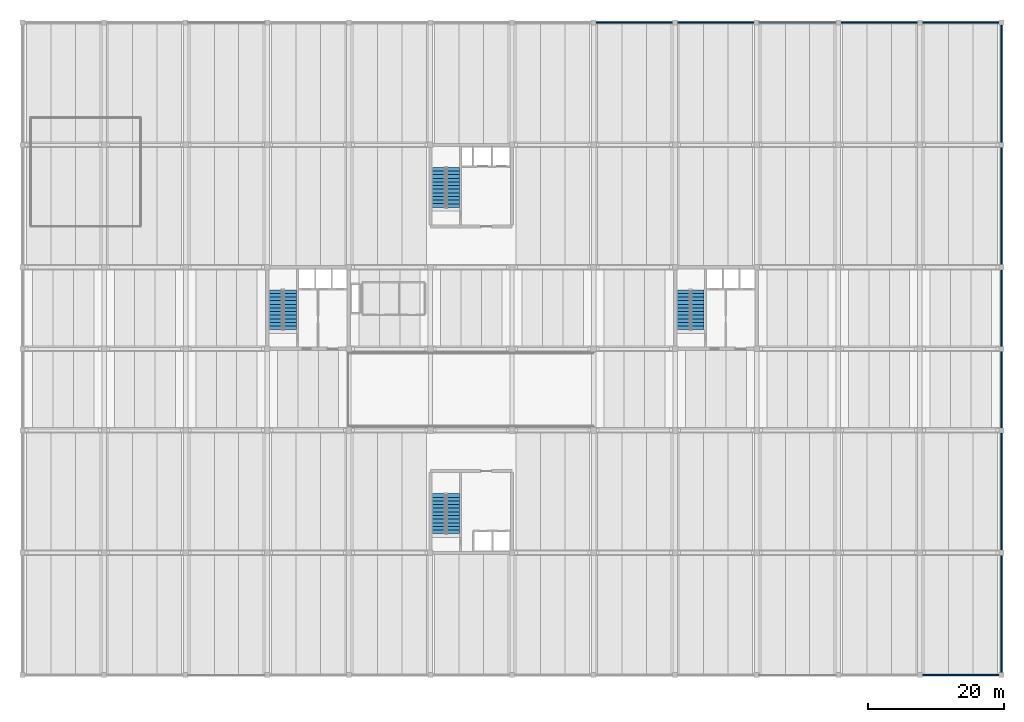
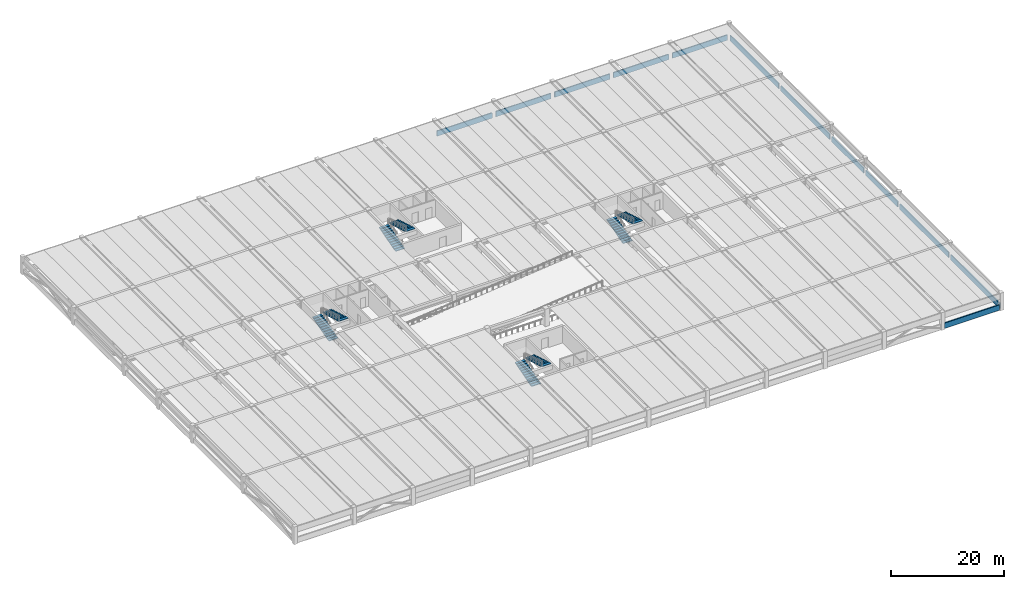
# One storey, part 10 of 14: 12 walls, 8 stair flights, 4 elements without a shape of their own.
"""IFC4 building model written with IfcOpenShell, lengths in metres."""

from ifc_helpers import new_model, si_unit, direction, frame, frame_2d, origin, place, context, subcontext, project, spatial, polyline, rectangle, outline, extrude, material, layer, layer_set, type_object, element, aggregate, save


model = new_model("IFC4")

# Units and contexts
model_context = context("Model", 3, precision=1e-05, world=origin(), true_north=direction((0.0, 1.0)))
body_context = subcontext(model_context, "Body", "Model", "MODEL_VIEW")
ifc_project = project(units=[si_unit("LENGTHUNIT", "METRE"), si_unit("AREAUNIT", "SQUARE_METRE"), si_unit("VOLUMEUNIT", "CUBIC_METRE"), si_unit("PLANEANGLEUNIT", "RADIAN"), si_unit("MASSUNIT", "GRAM", prefix="KILO")], contexts=[model_context])

# Site, building, storey
site_placement = place(None, origin())
site = spatial("IfcSite", under=ifc_project, at=site_placement, CompositionType="ELEMENT")
building_placement = place(site_placement, origin())
building = spatial("IfcBuilding", under=site, at=building_placement, Name="Girod Span Mobility Hub", CompositionType="ELEMENT")
storey_placement = place(building_placement, frame((0.0, 0.0, 24.800048828125)))
storey = spatial("IfcBuildingStorey", under=building, at=storey_placement, Name="L06", CompositionType="ELEMENT", Elevation=24.800048828125)

# Walls
ifc_material_1 = material(Name="Precast Architectural Concrete C40/50", Category="concrete")
ifc_layer = layer(ifc_material_1, 0.215087890625)
ifc_layer_set = layer_set([ifc_layer], Name="Precast Architectural Concrete C40/50")
wall_type = type_object("IfcWallType", Name="W-PAR-215", PredefinedType="PARAPET", material=ifc_layer_set)
for number, where, z_axis, x_axis, name in (
    (1, (144.373046875, 9.0, 0.0), (0.0, 0.0, 1.0), (1.0, 0.0, 0.0), "Precast Parking Barrier Parapet S-13 L06"),
    (2, (96.373046875, 105.0, 0.0), (0.0, 0.0, 1.0), (1.0, 0.0, 0.0), "Precast Parking Barrier Parapet N-9 L06"),
    (3, (108.373046875, 105.0, 0.0), (0.0, 0.0, 1.0), (1.0, 0.0, 0.0), "Precast Parking Barrier Parapet N-10 L06"),
    (4, (120.373046875, 105.0, 0.0), (0.0, 0.0, 1.0), (1.0, 0.0, 0.0), "Precast Parking Barrier Parapet N-11 L06"),
    (5, (132.373046875, 105.0, 0.0), (0.0, 0.0, 1.0), (1.0, 0.0, 0.0), "Precast Parking Barrier Parapet N-12 L06"),
    (6, (144.373046875, 105.0, 0.0), (0.0, 0.0, 1.0), (1.0, 0.0, 0.0), "Precast Parking Barrier Parapet N-13 L06"),
):
    element("IfcWall", number, at=place(storey_placement, frame(where, z_axis=z_axis, x_axis=x_axis)), inside=storey, type_object=wall_type, Name=name, PredefinedType="PARAPET", context=body_context, shape_type="SweptSolid", body=[
        extrude(rectangle(XDim=11.25390625, YDim=0.215087890625, at=frame_2d((5.626953125, 0.0))), origin(), (0.0, 0.0, 1.0), 1.14990234375),
    ])
for number, where, z_axis, x_axis, name in (
    (7, (156.0, 9.373046875, 0.0), (0.0, 0.0, 1.0), (0.0, 1.0, 0.0), "Precast Side Barrier Parapet E-B-1 L06"),
    (8, (156.0, 27.373046875, 0.0), (0.0, 0.0, 1.0), (0.0, 1.0, 0.0), "Precast Side Barrier Parapet E-C-1 L06"),
):
    element("IfcWall", number, at=place(storey_placement, frame(where, z_axis=z_axis, x_axis=x_axis)), inside=storey, type_object=wall_type, Name=name, PredefinedType="PARAPET", context=body_context, shape_type="SweptSolid", body=[
        extrude(rectangle(XDim=17.25390625, YDim=0.215087890625, at=frame_2d((8.626953125, 0.0))), origin(), (0.0, 0.0, 1.0), 1.14990234375),
    ])
for number, where, z_axis, x_axis, name in (
    (9, (156.0, 45.373046875, 0.0), (0.0, 0.0, 1.0), (0.0, 1.0, 0.0), "Precast Side Barrier Parapet E-D-1 L06"),
    (10, (156.0, 57.373046875, 0.0), (0.0, 0.0, 1.0), (0.0, 1.0, 0.0), "Precast Side Barrier Parapet E-E-1 L06"),
):
    element("IfcWall", number, at=place(storey_placement, frame(where, z_axis=z_axis, x_axis=x_axis)), inside=storey, type_object=wall_type, Name=name, PredefinedType="PARAPET", context=body_context, shape_type="SweptSolid", body=[
        extrude(rectangle(XDim=11.25390625, YDim=0.215087890625, at=frame_2d((5.626953125, 0.0))), origin(), (0.0, 0.0, 1.0), 1.14990234375),
    ])
for number, where, z_axis, x_axis, name in (
    (11, (156.0, 69.373046875, 0.0), (0.0, 0.0, 1.0), (0.0, 1.0, 0.0), "Precast Side Barrier Parapet E-F-1 L06"),
    (12, (156.0, 87.373046875, 0.0), (0.0, 0.0, 1.0), (0.0, 1.0, 0.0), "Precast Side Barrier Parapet E-G-1 L06"),
):
    element("IfcWall", number, at=place(storey_placement, frame(where, z_axis=z_axis, x_axis=x_axis)), inside=storey, type_object=wall_type, Name=name, PredefinedType="PARAPET", context=body_context, shape_type="SweptSolid", body=[
        extrude(rectangle(XDim=17.25390625, YDim=0.215087890625, at=frame_2d((8.626953125, 0.0))), origin(), (0.0, 0.0, 1.0), 1.14990234375),
    ])

# Stair, stair flights
ifc_material_2 = material(Name="Concrete C40/50", Category="concrete")
stair_type = type_object("IfcStairType", Name="STR-3800-W1860", PredefinedType="HALF_TURN_STAIR", material=ifc_material_2)
stair_1_placement = place(storey_placement, origin())
stair_1 = element("IfcStair", 13, at=stair_1_placement, inside=storey, type_object=stair_type, Name="Exit Stair ST-1 L06", PredefinedType="HALF_TURN_STAIR")
ifc_material_3 = material(Name="Concrete C40/50", Category="concrete")
stair_flight_type = type_object("IfcStairFlightType", Name="STF-1900-W1860", PredefinedType="STRAIGHT", material=ifc_material_3)
stair_flight_1_placement = place(storey_placement, frame((49.25, 59.81005859375, 0.0), z_axis=(0.0, 0.0, 1.0), x_axis=(0.0, 1.0, 0.0)))
stair_flight_1 = element("IfcStairFlight", 14, at=stair_flight_1_placement, type_object=stair_flight_type, Name="Stair ST-1 Flight 1 L06", NumberOfRisers=12, NumberOfTreads=11, PredefinedType="STRAIGHT", RiserHeight=0.15833, TreadLength=0.53455, context=body_context, shape_type="SweptSolid", body=[
    extrude(outline(polyline([(0.0, 0.0), (0.0, 0.158447265625), (0.53466796875, 0.158447265625), (0.53466796875, 0.316650390625), (1.069091796875, 0.316650390625), (1.069091796875, 0.47509765625), (1.603759765625, 0.47509765625), (1.603759765625, 0.63330078125), (2.13818359375, 0.63330078125), (2.13818359375, 0.791748046875), (2.6728515625, 0.791748046875), (2.6728515625, 0.949951171875), (3.207275390625, 0.949951171875), (3.207275390625, 1.1083984375), (3.741943359375, 1.1083984375), (3.741943359375, 1.2666015625), (4.2763671875, 1.2666015625), (4.2763671875, 1.425048828125), (4.81103515625, 1.425048828125), (4.81103515625, 1.583251953125), (5.345458984375, 1.583251953125), (5.345458984375, 1.74169921875), (5.880126953125, 1.74169921875), (5.880126953125, 1.89990234375), (5.880126953125, 1.54345703125), (0.668701171875, 0.0), (0.0, 0.0)])), frame((0.0, 0.93017578125, 0.0), z_axis=(0.0, -1.0, 0.0), x_axis=(1.0, 0.0, 0.0)), (0.0, 0.0, 1.0), 1.860107421875),
])
stair_flight_2_placement = place(storey_placement, frame((51.35009765625, 65.68994140625, 1.89990234375), z_axis=(0.0, 0.0, 1.0), x_axis=(0.0, -1.0, 0.0)))
stair_flight_2 = element("IfcStairFlight", 15, at=stair_flight_2_placement, type_object=stair_flight_type, Name="Stair ST-1 Flight 2 L06", NumberOfRisers=12, NumberOfTreads=11, PredefinedType="STRAIGHT", RiserHeight=0.15833, TreadLength=0.53455, context=body_context, shape_type="SweptSolid", body=[
    extrude(outline(polyline([(0.0, 0.0), (0.0, 0.158447265625), (0.53466796875, 0.158447265625), (0.53466796875, 0.316650390625), (1.069091796875, 0.316650390625), (1.069091796875, 0.47509765625), (1.603759765625, 0.47509765625), (1.603759765625, 0.63330078125), (2.13818359375, 0.63330078125), (2.13818359375, 0.791748046875), (2.6728515625, 0.791748046875), (2.6728515625, 0.949951171875), (3.207275390625, 0.949951171875), (3.207275390625, 1.1083984375), (3.741943359375, 1.1083984375), (3.741943359375, 1.2666015625), (4.2763671875, 1.2666015625), (4.2763671875, 1.425048828125), (4.81103515625, 1.425048828125), (4.81103515625, 1.583251953125), (5.345458984375, 1.583251953125), (5.345458984375, 1.74169921875), (5.880126953125, 1.74169921875), (5.880126953125, 1.89990234375), (5.880126953125, 1.54345703125), (0.668701171875, 0.0), (0.0, 0.0)])), frame((0.0, 0.93017578125, 0.0), z_axis=(0.0, -1.0, 0.0), x_axis=(1.0, 0.0, 0.0)), (0.0, 0.0, 1.0), 1.860107421875),
])
aggregate(stair_1, [stair_flight_1, stair_flight_2])

stair_2_placement = place(storey_placement, origin())
stair_2 = element("IfcStair", 16, at=stair_2_placement, inside=storey, type_object=stair_type, Name="Exit Stair ST-2 L06", PredefinedType="HALF_TURN_STAIR")
stair_flight_3_placement = place(storey_placement, frame((109.25, 59.81005859375, 0.0), z_axis=(0.0, 0.0, 1.0), x_axis=(0.0, 1.0, 0.0)))
stair_flight_3 = element("IfcStairFlight", 17, at=stair_flight_3_placement, type_object=stair_flight_type, Name="Stair ST-2 Flight 1 L06", NumberOfRisers=12, NumberOfTreads=11, PredefinedType="STRAIGHT", RiserHeight=0.15833, TreadLength=0.53455, context=body_context, shape_type="SweptSolid", body=[
    extrude(outline(polyline([(0.0, 0.0), (0.0, 0.158447265625), (0.53466796875, 0.158447265625), (0.53466796875, 0.316650390625), (1.069091796875, 0.316650390625), (1.069091796875, 0.47509765625), (1.603759765625, 0.47509765625), (1.603759765625, 0.63330078125), (2.13818359375, 0.63330078125), (2.13818359375, 0.791748046875), (2.6728515625, 0.791748046875), (2.6728515625, 0.949951171875), (3.207275390625, 0.949951171875), (3.207275390625, 1.1083984375), (3.741943359375, 1.1083984375), (3.741943359375, 1.2666015625), (4.2763671875, 1.2666015625), (4.2763671875, 1.425048828125), (4.81103515625, 1.425048828125), (4.81103515625, 1.583251953125), (5.345458984375, 1.583251953125), (5.345458984375, 1.74169921875), (5.880126953125, 1.74169921875), (5.880126953125, 1.89990234375), (5.880126953125, 1.54345703125), (0.668701171875, 0.0), (0.0, 0.0)])), frame((0.0, 0.93017578125, 0.0), z_axis=(0.0, -1.0, 0.0), x_axis=(1.0, 0.0, 0.0)), (0.0, 0.0, 1.0), 1.860107421875),
])
stair_flight_4_placement = place(storey_placement, frame((111.35009765625, 65.68994140625, 1.89990234375), z_axis=(0.0, 0.0, 1.0), x_axis=(0.0, -1.0, 0.0)))
stair_flight_4 = element("IfcStairFlight", 18, at=stair_flight_4_placement, type_object=stair_flight_type, Name="Stair ST-2 Flight 2 L06", NumberOfRisers=12, NumberOfTreads=11, PredefinedType="STRAIGHT", RiserHeight=0.15833, TreadLength=0.53455, context=body_context, shape_type="SweptSolid", body=[
    extrude(outline(polyline([(0.0, 0.0), (0.0, 0.158447265625), (0.53466796875, 0.158447265625), (0.53466796875, 0.316650390625), (1.069091796875, 0.316650390625), (1.069091796875, 0.47509765625), (1.603759765625, 0.47509765625), (1.603759765625, 0.63330078125), (2.13818359375, 0.63330078125), (2.13818359375, 0.791748046875), (2.6728515625, 0.791748046875), (2.6728515625, 0.949951171875), (3.207275390625, 0.949951171875), (3.207275390625, 1.1083984375), (3.741943359375, 1.1083984375), (3.741943359375, 1.2666015625), (4.2763671875, 1.2666015625), (4.2763671875, 1.425048828125), (4.81103515625, 1.425048828125), (4.81103515625, 1.583251953125), (5.345458984375, 1.583251953125), (5.345458984375, 1.74169921875), (5.880126953125, 1.74169921875), (5.880126953125, 1.89990234375), (5.880126953125, 1.54345703125), (0.668701171875, 0.0), (0.0, 0.0)])), frame((0.0, 0.93017578125, 0.0), z_axis=(0.0, -1.0, 0.0), x_axis=(1.0, 0.0, 0.0)), (0.0, 0.0, 1.0), 1.860107421875),
])
aggregate(stair_2, [stair_flight_3, stair_flight_4])

stair_3_placement = place(storey_placement, origin())
stair_3 = element("IfcStair", 19, at=stair_3_placement, inside=storey, type_object=stair_type, Name="Exit Stair ST-3 L06", PredefinedType="HALF_TURN_STAIR")
stair_flight_5_placement = place(storey_placement, frame((73.25, 29.81005859375, 0.0), z_axis=(0.0, 0.0, 1.0), x_axis=(0.0, 1.0, 0.0)))
stair_flight_5 = element("IfcStairFlight", 20, at=stair_flight_5_placement, type_object=stair_flight_type, Name="Stair ST-3 Flight 1 L06", NumberOfRisers=12, NumberOfTreads=11, PredefinedType="STRAIGHT", RiserHeight=0.15833, TreadLength=0.53455, context=body_context, shape_type="SweptSolid", body=[
    extrude(outline(polyline([(0.0, 0.0), (0.0, 0.158447265625), (0.53466796875, 0.158447265625), (0.53466796875, 0.316650390625), (1.069091796875, 0.316650390625), (1.069091796875, 0.47509765625), (1.603759765625, 0.47509765625), (1.603759765625, 0.63330078125), (2.13818359375, 0.63330078125), (2.13818359375, 0.791748046875), (2.6728515625, 0.791748046875), (2.6728515625, 0.949951171875), (3.207275390625, 0.949951171875), (3.207275390625, 1.1083984375), (3.741943359375, 1.1083984375), (3.741943359375, 1.2666015625), (4.2763671875, 1.2666015625), (4.2763671875, 1.425048828125), (4.81103515625, 1.425048828125), (4.81103515625, 1.583251953125), (5.345458984375, 1.583251953125), (5.345458984375, 1.74169921875), (5.880126953125, 1.74169921875), (5.880126953125, 1.89990234375), (5.880126953125, 1.54345703125), (0.668701171875, 0.0), (0.0, 0.0)])), frame((0.0, 0.93017578125, 0.0), z_axis=(0.0, -1.0, 0.0), x_axis=(1.0, 0.0, 0.0)), (0.0, 0.0, 1.0), 1.860107421875),
])
stair_flight_6_placement = place(storey_placement, frame((75.35009765625, 35.68994140625, 1.89990234375), z_axis=(0.0, 0.0, 1.0), x_axis=(0.0, -1.0, 0.0)))
stair_flight_6 = element("IfcStairFlight", 21, at=stair_flight_6_placement, type_object=stair_flight_type, Name="Stair ST-3 Flight 2 L06", NumberOfRisers=12, NumberOfTreads=11, PredefinedType="STRAIGHT", RiserHeight=0.15833, TreadLength=0.53455, context=body_context, shape_type="SweptSolid", body=[
    extrude(outline(polyline([(0.0, 0.0), (0.0, 0.158447265625), (0.53466796875, 0.158447265625), (0.53466796875, 0.316650390625), (1.069091796875, 0.316650390625), (1.069091796875, 0.47509765625), (1.603759765625, 0.47509765625), (1.603759765625, 0.63330078125), (2.13818359375, 0.63330078125), (2.13818359375, 0.791748046875), (2.6728515625, 0.791748046875), (2.6728515625, 0.949951171875), (3.207275390625, 0.949951171875), (3.207275390625, 1.1083984375), (3.741943359375, 1.1083984375), (3.741943359375, 1.2666015625), (4.2763671875, 1.2666015625), (4.2763671875, 1.425048828125), (4.81103515625, 1.425048828125), (4.81103515625, 1.583251953125), (5.345458984375, 1.583251953125), (5.345458984375, 1.74169921875), (5.880126953125, 1.74169921875), (5.880126953125, 1.89990234375), (5.880126953125, 1.54345703125), (0.668701171875, 0.0), (0.0, 0.0)])), frame((0.0, 0.93017578125, 0.0), z_axis=(0.0, -1.0, 0.0), x_axis=(1.0, 0.0, 0.0)), (0.0, 0.0, 1.0), 1.860107421875),
])
aggregate(stair_3, [stair_flight_5, stair_flight_6])

stair_4_placement = place(storey_placement, origin())
stair_4 = element("IfcStair", 22, at=stair_4_placement, inside=storey, type_object=stair_type, Name="Exit Stair ST-4 L06", PredefinedType="HALF_TURN_STAIR")
stair_flight_7_placement = place(storey_placement, frame((73.25, 77.81005859375, 0.0), z_axis=(0.0, 0.0, 1.0), x_axis=(0.0, 1.0, 0.0)))
stair_flight_7 = element("IfcStairFlight", 23, at=stair_flight_7_placement, type_object=stair_flight_type, Name="Stair ST-4 Flight 1 L06", NumberOfRisers=12, NumberOfTreads=11, PredefinedType="STRAIGHT", RiserHeight=0.15833, TreadLength=0.53455, context=body_context, shape_type="SweptSolid", body=[
    extrude(outline(polyline([(0.0, 0.0), (0.0, 0.158447265625), (0.53466796875, 0.158447265625), (0.53466796875, 0.316650390625), (1.069091796875, 0.316650390625), (1.069091796875, 0.47509765625), (1.603759765625, 0.47509765625), (1.603759765625, 0.63330078125), (2.13818359375, 0.63330078125), (2.13818359375, 0.791748046875), (2.6728515625, 0.791748046875), (2.6728515625, 0.949951171875), (3.207275390625, 0.949951171875), (3.207275390625, 1.1083984375), (3.741943359375, 1.1083984375), (3.741943359375, 1.2666015625), (4.2763671875, 1.2666015625), (4.2763671875, 1.425048828125), (4.81103515625, 1.425048828125), (4.81103515625, 1.583251953125), (5.345458984375, 1.583251953125), (5.345458984375, 1.74169921875), (5.880126953125, 1.74169921875), (5.880126953125, 1.89990234375), (5.880126953125, 1.54345703125), (0.668701171875, 0.0), (0.0, 0.0)])), frame((0.0, 0.93017578125, 0.0), z_axis=(0.0, -1.0, 0.0), x_axis=(1.0, 0.0, 0.0)), (0.0, 0.0, 1.0), 1.860107421875),
])
stair_flight_8_placement = place(storey_placement, frame((75.35009765625, 83.68994140625, 1.89990234375), z_axis=(0.0, 0.0, 1.0), x_axis=(0.0, -1.0, 0.0)))
stair_flight_8 = element("IfcStairFlight", 24, at=stair_flight_8_placement, type_object=stair_flight_type, Name="Stair ST-4 Flight 2 L06", NumberOfRisers=12, NumberOfTreads=11, PredefinedType="STRAIGHT", RiserHeight=0.15833, TreadLength=0.53455, context=body_context, shape_type="SweptSolid", body=[
    extrude(outline(polyline([(0.0, 0.0), (0.0, 0.158447265625), (0.53466796875, 0.158447265625), (0.53466796875, 0.316650390625), (1.069091796875, 0.316650390625), (1.069091796875, 0.47509765625), (1.603759765625, 0.47509765625), (1.603759765625, 0.63330078125), (2.13818359375, 0.63330078125), (2.13818359375, 0.791748046875), (2.6728515625, 0.791748046875), (2.6728515625, 0.949951171875), (3.207275390625, 0.949951171875), (3.207275390625, 1.1083984375), (3.741943359375, 1.1083984375), (3.741943359375, 1.2666015625), (4.2763671875, 1.2666015625), (4.2763671875, 1.425048828125), (4.81103515625, 1.425048828125), (4.81103515625, 1.583251953125), (5.345458984375, 1.583251953125), (5.345458984375, 1.74169921875), (5.880126953125, 1.74169921875), (5.880126953125, 1.89990234375), (5.880126953125, 1.54345703125), (0.668701171875, 0.0), (0.0, 0.0)])), frame((0.0, 0.93017578125, 0.0), z_axis=(0.0, -1.0, 0.0), x_axis=(1.0, 0.0, 0.0)), (0.0, 0.0, 1.0), 1.860107421875),
])
aggregate(stair_4, [stair_flight_7, stair_flight_8])

save(model, "model.ifc")
